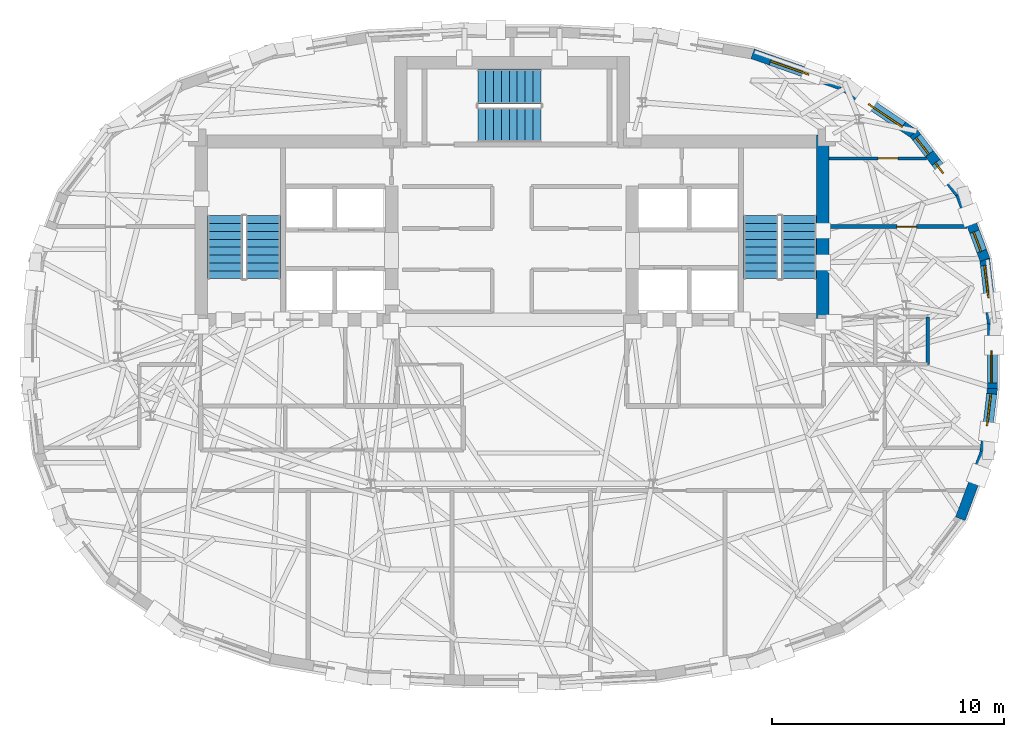
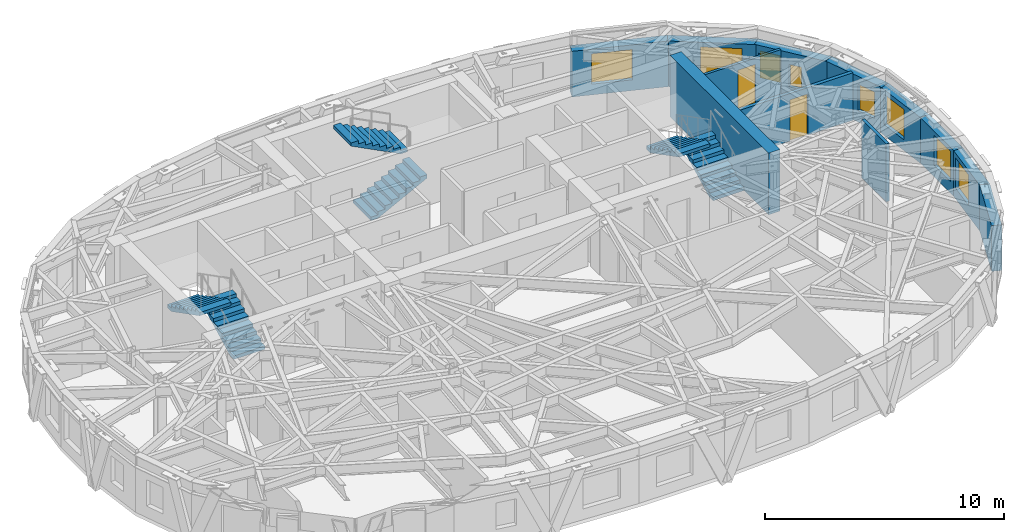
# One storey, part 9 of 12: 12 walls, 8 windows, 6 stair flights, 2 doors, 10 openings, 3 elements without a shape of their own.
"""IFC4 building model written with IfcOpenShell, lengths in metres."""

from ifc_helpers import new_model, si_unit, direction, frame, frame_2d, origin, place, context, subcontext, project, spatial, polyline, rectangle, outline, extrude, material, layer, layer_set, type_object, element, fill, aggregate, save


model = new_model("IFC4")

# Units and contexts
model_context = context("Model", 3, precision=1e-05, world=origin(), true_north=direction((0.0, 1.0)))
body_context = subcontext(model_context, "Body", "Model", "MODEL_VIEW")
ifc_project = project(units=[si_unit("LENGTHUNIT", "METRE"), si_unit("AREAUNIT", "SQUARE_METRE"), si_unit("VOLUMEUNIT", "CUBIC_METRE"), si_unit("PLANEANGLEUNIT", "RADIAN"), si_unit("MASSUNIT", "GRAM", prefix="KILO")], contexts=[model_context])

# Site, building, storey
site_placement = place(None, origin())
site = spatial("IfcSite", under=ifc_project, at=site_placement, CompositionType="ELEMENT")
building_placement = place(site_placement, origin())
building = spatial("IfcBuilding", under=site, at=building_placement, Name="Keldmark Tower", CompositionType="ELEMENT")
storey_placement = place(building_placement, frame((0.0, 0.0, 254.10009765625)))
storey = spatial("IfcBuildingStorey", under=building, at=storey_placement, Name="L72", CompositionType="ELEMENT", Elevation=254.10009765625)

# Wall
ifc_material_1 = material(Name="Concrete C50/60", Category="concrete")
ifc_layer_1 = layer(ifc_material_1, 0.550048828125)
ifc_layer_set_1 = layer_set([ifc_layer_1], Name="Concrete C50/60")
wall_type_1 = type_object("IfcWallType", Name="High-Rise Core Shear Wall 550 mm", PredefinedType="SHEAR", material=ifc_layer_set_1)
wall_1_placement = place(storey_placement, frame((13.425048828125, 1.300048828125, 0.0), z_axis=(0.0, 0.0, 1.0), x_axis=(0.0, 1.0, 0.0)))
element("IfcWall", 1, at=wall_1_placement, inside=storey, type_object=wall_type_1, Name="L72 East Core Outer Shear Wall", PredefinedType="SHEAR", context=body_context, shape_type="SweptSolid", body=[
    extrude(rectangle(XDim=8.25, YDim=0.550048828125, at=frame_2d((4.125, 0.0))), origin(), (0.0, 0.0, 1.0), 3.14990234375),
])

# Wall, opening, door
ifc_material_2 = material(Name="Acoustic Gypsum Board Interior Partition", Category="gypsum")
ifc_layer_2 = layer(ifc_material_2, 0.1298828125)
ifc_layer_set_2 = layer_set([ifc_layer_2], Name="Acoustic Gypsum Board Interior Partition")
wall_type_2 = type_object("IfcWallType", Name="Interior Partition 130 mm", PredefinedType="PARTITIONING", material=ifc_layer_set_2)
wall_2_placement = place(storey_placement, frame((13.699951171875, 8.550048828125, 0.0), z_axis=(0.0, 0.0, 1.0), x_axis=(1.0, 0.0, 0.0)))
wall_2 = element("IfcWall", 2, at=wall_2_placement, inside=storey, type_object=wall_type_2, Name="L72 Interior Partition 130 mm UA-NDIV2", PredefinedType="PARTITIONING", context=body_context, shape_type="SweptSolid", body=[
    extrude(rectangle(XDim=4.19677734375, YDim=0.1298828125, at=frame_2d((2.098388671875, 0.0))), origin(), (0.0, 0.0, 1.0), 2.4228515625),
])
opening_1_placement = place(wall_2_placement, frame((2.118896484375, 0.0, 0.0)))
opening_1 = element("IfcOpeningElement", 3, at=opening_1_placement, cuts=wall_2, Name="Opening D-IN085", PredefinedType="OPENING", context=body_context, shape_type="SweptSolid", body=[
    extrude(rectangle(XDim=0.85009765625, YDim=2.10009765625, at=frame_2d((0.425048828125, 1.050048828125))), frame((0.0, 0.074951171875, 0.0), z_axis=(0.0, -1.0, 0.0), x_axis=(1.0, 0.0, 0.0)), (0.0, 0.0, 1.0), 0.14990234375),
])
ifc_material_3 = material(Name="Painted Architectural Wood", Category="wood")
door_type_1 = type_object("IfcDoorType", Name="Interior Door 850x2100", OperationType="NOTDEFINED", PredefinedType="DOOR", material=ifc_material_3)
door_1_placement = place(opening_1_placement, origin())
door_1 = element("IfcDoor", 4, at=door_1_placement, inside=storey, type_object=door_type_1, Name="L72 Interior Door 850x2100 D-UA-BR2-L72", OperationType="SINGLE_SWING_RIGHT", OverallHeight=2.10009765625, OverallWidth=0.85009765625, PredefinedType="DOOR", context=body_context, shape_type="SweptSolid", body=[
    extrude(rectangle(XDim=0.85009765625, YDim=2.10009765625, at=frame_2d((0.425048828125, 1.050048828125))), frame((0.0, 0.02490234375, 0.0), z_axis=(0.0, -1.0, 0.0), x_axis=(1.0, 0.0, 0.0)), (0.0, 0.0, 1.0), 0.050048828125),
])
fill(opening_1, door_1)

ifc_material_4 = material(Name="Type X Fire-Rated Gypsum Partition Assembly", Category="gypsum")
ifc_layer_3 = layer(ifc_material_4, 0.1650390625)
ifc_layer_set_3 = layer_set([ifc_layer_3], Name="Type X Fire-Rated Gypsum Partition Assembly")
wall_type_3 = type_object("IfcWallType", Name="Rated Partition 165 mm", PredefinedType="PARTITIONING", material=ifc_layer_set_3)
wall_3_placement = place(storey_placement, frame((13.699951171875, 5.60009765625, 0.0), z_axis=(0.0, 0.0, 1.0), x_axis=(1.0, 0.0, 0.0)))
wall_3 = element("IfcWall", 5, at=wall_3_placement, inside=storey, type_object=wall_type_3, Name="L72 Rated Partition 165 mm RE-NDIV", PredefinedType="PARTITIONING", context=body_context, shape_type="SweptSolid", body=[
    extrude(rectangle(XDim=5.952880859375, YDim=0.1650390625, at=frame_2d((2.9765625, 0.0))), origin(), (0.0, 0.0, 1.0), 2.4228515625),
])
opening_2_placement = place(wall_3_placement, frame((2.928955078125, 0.0, 0.0)))
opening_2 = element("IfcOpeningElement", 6, at=opening_2_placement, cuts=wall_3, Name="Opening D-BR085", PredefinedType="OPENING", context=body_context, shape_type="SweptSolid", body=[
    extrude(rectangle(XDim=0.85009765625, YDim=2.10009765625, at=frame_2d((0.425048828125, 1.050048828125))), frame((0.0, 0.092529296875, 0.0), z_axis=(0.0, -1.0, 0.0), x_axis=(1.0, 0.0, 0.0)), (0.0, 0.0, 1.0), 0.18505859375),
])
ifc_material_5 = material(Name="Solid-Core Stained Walnut Wood", Category="wood")
door_type_2 = type_object("IfcDoorType", Name="Bedroom Door 850x2100", OperationType="NOTDEFINED", PredefinedType="DOOR", material=ifc_material_5)
door_2_placement = place(opening_2_placement, origin())
door_2 = element("IfcDoor", 7, at=door_2_placement, inside=storey, type_object=door_type_2, Name="L72 Bedroom Door 850x2100 D-UA-BR1-L72", OperationType="SINGLE_SWING_LEFT", OverallHeight=2.10009765625, OverallWidth=0.85009765625, PredefinedType="DOOR", context=body_context, shape_type="SweptSolid", body=[
    extrude(rectangle(XDim=0.85009765625, YDim=2.10009765625, at=frame_2d((0.425048828125, 1.050048828125))), frame((0.0, 0.02490234375, 0.0), z_axis=(0.0, -1.0, 0.0), x_axis=(1.0, 0.0, 0.0)), (0.0, 0.0, 1.0), 0.050048828125),
])
fill(opening_2, door_2)

# Wall, opening, window
ifc_material_6 = material(Name="Ironspot Manganese Brick and Kasota Buff Limestone Spandrel Assembly", Category="masonry")
ifc_layer_4 = layer(ifc_material_6, 0.43994140625)
ifc_layer_set_4 = layer_set([ifc_layer_4], Name="Ironspot Manganese Brick and Kasota Buff Limestone Spandrel Assembly")
wall_type_4 = type_object("IfcWallType", Name="Tower Brick Pier and Spandrel Wall 440 mm", PredefinedType="STANDARD", material=ifc_layer_set_4)
wall_4_placement = place(storey_placement, frame((20.41845703125, 4.21875, 0.0), z_axis=(0.0, 0.0, 1.0), x_axis=(0.116885766715, -0.993145365764, 0.0)))
wall_4 = element("IfcWall", 8, at=wall_4_placement, inside=storey, type_object=wall_type_4, Name="L72 Exterior Brick and Spandrel Wall 01", PredefinedType="STANDARD", context=body_context, shape_type="SweptSolid", body=[
    extrude(rectangle(XDim=2.863525390625, YDim=0.43994140625, at=frame_2d((1.431640625, 0.0))), origin(), (0.0, 0.0, 1.0), 2.3359375),
])
opening_3_placement = place(wall_4_placement, frame((0.296630859375, 0.0, 0.550048828125)))
opening_3 = element("IfcOpeningElement", 9, at=opening_3_placement, cuts=wall_4, Name="Opening W-08", PredefinedType="OPENING", context=body_context, shape_type="SweptSolid", body=[
    extrude(rectangle(XDim=1.39990234375, YDim=1.550048828125, at=frame_2d((0.699951171875, 0.77490234375))), frame((0.0, 0.22998046875, 0.0), z_axis=(0.0, -1.0, 0.0), x_axis=(1.0, 0.0, 0.0)), (0.0, 0.0, 1.0), 0.4599609375),
])
ifc_material_7 = material(Name="Thermally Broken Anodized Aluminum and Triple Low-E Argon Glazing", Category="aluminium")
window_type_1 = type_object("IfcWindowType", Name="Residential Corner Punched Window 1400x1550", PartitioningType="SINGLE_PANEL", PredefinedType="WINDOW", material=ifc_material_7)
window_1_placement = place(opening_3_placement, origin())
window_1 = element("IfcWindow", 10, at=window_1_placement, inside=storey, type_object=window_type_1, Name="L72 Deep-Set Window 01", OverallHeight=1.550048828125, OverallWidth=1.39990234375, PartitioningType="SINGLE_PANEL", PredefinedType="WINDOW", context=body_context, shape_type="SweptSolid", body=[
    extrude(rectangle(XDim=1.39990234375, YDim=1.550048828125, at=frame_2d((0.699951171875, 0.77490234375))), frame((0.0, -0.010009765625, 0.0), z_axis=(0.0, -1.0, 0.0), x_axis=(1.0, 0.0, 0.0)), (0.0, 0.0, 1.0), 0.06005859375),
])
fill(opening_3, window_1)

wall_5_placement = place(storey_placement, frame((19.36767578125, 7.0166015625, 0.0), z_axis=(0.0, 0.0, 1.0), x_axis=(0.349627332297, -0.936888856007, 0.0)))
wall_5 = element("IfcWall", 11, at=wall_5_placement, inside=storey, type_object=wall_type_4, Name="L72 Exterior Brick and Spandrel Wall 02", PredefinedType="STANDARD", context=body_context, shape_type="SweptSolid", body=[
    extrude(rectangle(XDim=3.041015625, YDim=0.43994140625, at=frame_2d((1.5205078125, 0.0))), origin(), (0.0, 0.0, 1.0), 2.3359375),
])
opening_4_placement = place(wall_5_placement, frame((1.7421875, 0.0, 0.580078125)))
opening_4 = element("IfcOpeningElement", 12, at=opening_4_placement, cuts=wall_5, Name="Opening W-09", PredefinedType="OPENING", context=body_context, shape_type="SweptSolid", body=[
    extrude(rectangle(XDim=0.89990234375, YDim=1.35009765625, at=frame_2d((0.449951171875, 0.675048828125))), frame((0.0, 0.22998046875, 0.0), z_axis=(0.0, -1.0, 0.0), x_axis=(1.0, 0.0, 0.0)), (0.0, 0.0, 1.0), 0.4599609375),
])
ifc_material_8 = material(Name="Thermally Broken Anodized Aluminum and Triple Low-E Argon Glazing", Category="aluminium")
window_type_2 = type_object("IfcWindowType", Name="Corner Pier Deep-Set Window 900x1350", PartitioningType="SINGLE_PANEL", PredefinedType="WINDOW", material=ifc_material_8)
window_2_placement = place(opening_4_placement, origin())
window_2 = element("IfcWindow", 13, at=window_2_placement, inside=storey, type_object=window_type_2, Name="L72 Deep-Set Window 02", OverallHeight=1.35009765625, OverallWidth=0.89990234375, PartitioningType="SINGLE_PANEL", PredefinedType="WINDOW", context=body_context, shape_type="SweptSolid", body=[
    extrude(rectangle(XDim=0.89990234375, YDim=1.35009765625, at=frame_2d((0.449951171875, 0.675048828125))), frame((0.0, -0.010009765625, 0.0), z_axis=(0.0, -1.0, 0.0), x_axis=(1.0, 0.0, 0.0)), (0.0, 0.0, 1.0), 0.06005859375),
])
fill(opening_4, window_2)

# Wall, openings, windows
wall_6_placement = place(storey_placement, frame((17.3623046875, 9.62451171875, 0.0), z_axis=(0.0, 0.0, 1.0), x_axis=(0.607266352304, -0.794498318034, 0.0)))
wall_6 = element("IfcWall", 14, at=wall_6_placement, inside=storey, type_object=wall_type_4, Name="L72 Exterior Brick and Spandrel Wall 03", PredefinedType="STANDARD", context=body_context, shape_type="SweptSolid", body=[
    extrude(rectangle(XDim=3.353759765625, YDim=0.43994140625, at=frame_2d((1.6767578125, 0.0))), origin(), (0.0, 0.0, 1.0), 2.3359375),
])
opening_5_placement = place(wall_6_placement, frame((0.199951171875, 0.0, 0.580078125)))
opening_5 = element("IfcOpeningElement", 15, at=opening_5_placement, cuts=wall_6, Name="Opening W-09", PredefinedType="OPENING", context=body_context, shape_type="SweptSolid", body=[
    extrude(rectangle(XDim=0.89990234375, YDim=1.35009765625, at=frame_2d((0.449951171875, 0.675048828125))), frame((0.0, 0.22998046875, 0.0), z_axis=(0.0, -1.0, 0.0), x_axis=(1.0, 0.0, 0.0)), (0.0, 0.0, 1.0), 0.4599609375),
])
opening_6_placement = place(wall_6_placement, frame((1.5693359375, 0.0, 0.580078125)))
opening_6 = element("IfcOpeningElement", 16, at=opening_6_placement, cuts=wall_6, Name="Opening W-10", PredefinedType="OPENING", context=body_context, shape_type="SweptSolid", body=[
    extrude(rectangle(XDim=0.56005859375, YDim=1.14990234375, at=frame_2d((0.280029296875, 0.574951171875))), frame((0.0, 0.22998046875, 0.0), z_axis=(0.0, -1.0, 0.0), x_axis=(1.0, 0.0, 0.0)), (0.0, 0.0, 1.0), 0.4599609375),
])
window_3_placement = place(opening_5_placement, origin())
window_3 = element("IfcWindow", 17, at=window_3_placement, inside=storey, type_object=window_type_2, Name="L72 Deep-Set Window 03", OverallHeight=1.35009765625, OverallWidth=0.89990234375, PartitioningType="SINGLE_PANEL", PredefinedType="WINDOW", context=body_context, shape_type="SweptSolid", body=[
    extrude(rectangle(XDim=0.89990234375, YDim=1.35009765625, at=frame_2d((0.449951171875, 0.675048828125))), frame((0.0, -0.010009765625, 0.0), z_axis=(0.0, -1.0, 0.0), x_axis=(1.0, 0.0, 0.0)), (0.0, 0.0, 1.0), 0.06005859375),
])
fill(opening_5, window_3)
ifc_material_9 = material(Name="Thermally Broken Anodized Aluminum and Triple Low-E Argon Glazing", Category="aluminium")
window_type_3 = type_object("IfcWindowType", Name="Narrow Pier Lancet Window 560x1150", PartitioningType="SINGLE_PANEL", PredefinedType="WINDOW", material=ifc_material_9)
window_4_placement = place(opening_6_placement, origin())
window_4 = element("IfcWindow", 18, at=window_4_placement, inside=storey, type_object=window_type_3, Name="L72 Pier Window RM01", OverallHeight=1.14990234375, OverallWidth=0.56005859375, PartitioningType="SINGLE_PANEL", PredefinedType="WINDOW", context=body_context, shape_type="SweptSolid", body=[
    extrude(rectangle(XDim=0.56005859375, YDim=1.14990234375, at=frame_2d((0.280029296875, 0.574951171875))), frame((0.0, -0.010009765625, 0.0), z_axis=(0.0, -1.0, 0.0), x_axis=(1.0, 0.0, 0.0)), (0.0, 0.0, 1.0), 0.06005859375),
])
fill(opening_6, window_4)

# Wall, opening, window
wall_7_placement = place(storey_placement, frame((14.268798828125, 11.708251953125, 0.0), z_axis=(0.0, 0.0, 1.0), x_axis=(0.827695346596, -0.561177702001, 0.0)))
wall_7 = element("IfcWall", 19, at=wall_7_placement, inside=storey, type_object=wall_type_4, Name="L72 Exterior Brick and Spandrel Wall 04", PredefinedType="STANDARD", context=body_context, shape_type="SweptSolid", body=[
    extrude(rectangle(XDim=3.7998046875, YDim=0.43994140625, at=frame_2d((1.89990234375, 0.0))), origin(), (0.0, 0.0, 1.0), 2.3359375),
])
opening_7_placement = place(wall_7_placement, frame((1.399658203125, 0.0, 0.550048828125)))
opening_7 = element("IfcOpeningElement", 20, at=opening_7_placement, cuts=wall_7, Name="Opening W-05", PredefinedType="OPENING", context=body_context, shape_type="SweptSolid", body=[
    extrude(rectangle(XDim=1.75, YDim=1.550048828125, at=frame_2d((0.875, 0.77490234375))), frame((0.0, 0.22998046875, 0.0), z_axis=(0.0, -1.0, 0.0), x_axis=(1.0, 0.0, 0.0)), (0.0, 0.0, 1.0), 0.4599609375),
])
ifc_material_10 = material(Name="Thermally Broken Anodized Aluminum and Triple Low-E Argon Glazing", Category="aluminium")
window_type_4 = type_object("IfcWindowType", Name="Residential Deep-Set Window 1750x1550", PartitioningType="DOUBLE_PANEL_VERTICAL", PredefinedType="WINDOW", material=ifc_material_10)
window_5_placement = place(opening_7_placement, origin())
window_5 = element("IfcWindow", 21, at=window_5_placement, inside=storey, type_object=window_type_4, Name="L72 Deep-Set Window 04", OverallHeight=1.550048828125, OverallWidth=1.75, PartitioningType="SINGLE_PANEL", PredefinedType="WINDOW", context=body_context, shape_type="SweptSolid", body=[
    extrude(rectangle(XDim=1.75, YDim=1.550048828125, at=frame_2d((0.875, 0.77490234375))), frame((0.0, -0.010009765625, 0.0), z_axis=(0.0, -1.0, 0.0), x_axis=(1.0, 0.0, 0.0)), (0.0, 0.0, 1.0), 0.06005859375),
])
fill(opening_7, window_5)

wall_8_placement = place(storey_placement, frame((10.389404296875, 13.0634765625, 0.0), z_axis=(0.0, 0.0, 1.0), x_axis=(0.943461130408, -0.331483175152, 0.0)))
wall_8 = element("IfcWall", 22, at=wall_8_placement, inside=storey, type_object=wall_type_4, Name="L72 Exterior Brick and Spandrel Wall 05", PredefinedType="STANDARD", context=body_context, shape_type="SweptSolid", body=[
    extrude(rectangle(XDim=4.165771484375, YDim=0.43994140625, at=frame_2d((2.0830078125, 0.0))), origin(), (0.0, 0.0, 1.0), 2.3359375),
])
opening_8_placement = place(wall_8_placement, frame((0.839111328125, 0.0, 0.550048828125)))
opening_8 = element("IfcOpeningElement", 23, at=opening_8_placement, cuts=wall_8, Name="Opening W-05", PredefinedType="OPENING", context=body_context, shape_type="SweptSolid", body=[
    extrude(rectangle(XDim=1.75, YDim=1.550048828125, at=frame_2d((0.875, 0.77490234375))), frame((0.0, 0.22998046875, 0.0), z_axis=(0.0, -1.0, 0.0), x_axis=(1.0, 0.0, 0.0)), (0.0, 0.0, 1.0), 0.4599609375),
])
window_6_placement = place(opening_8_placement, origin())
window_6 = element("IfcWindow", 24, at=window_6_placement, inside=storey, type_object=window_type_4, Name="L72 Deep-Set Window 05", OverallHeight=1.550048828125, OverallWidth=1.75, PartitioningType="SINGLE_PANEL", PredefinedType="WINDOW", context=body_context, shape_type="SweptSolid", body=[
    extrude(rectangle(XDim=1.75, YDim=1.550048828125, at=frame_2d((0.875, 0.77490234375))), frame((0.0, -0.010009765625, 0.0), z_axis=(0.0, -1.0, 0.0), x_axis=(1.0, 0.0, 0.0)), (0.0, 0.0, 1.0), 0.06005859375),
])
fill(opening_8, window_6)

# Wall
wall_9_placement = place(storey_placement, frame((20.430908203125, -4.16748046875, 0.0), z_axis=(0.0, 0.0, 1.0), x_axis=(-0.349627332297, -0.936888856007, 0.0)))
element("IfcWall", 25, at=wall_9_placement, inside=storey, type_object=wall_type_4, Name="L72 Exterior Brick and Spandrel Wall 30", PredefinedType="STANDARD", context=body_context, shape_type="SweptSolid", body=[
    extrude(rectangle(XDim=3.041015625, YDim=0.43994140625, at=frame_2d((1.5205078125, 0.0))), origin(), (0.0, 0.0, 1.0), 2.3359375),
])

# Wall, opening, window
wall_10_placement = place(storey_placement, frame((20.753173828125, -1.374755859375, 0.0), z_axis=(0.0, 0.0, 1.0), x_axis=(-0.116885766715, -0.993145365764, 0.0)))
wall_10 = element("IfcWall", 26, at=wall_10_placement, inside=storey, type_object=wall_type_4, Name="L72 Exterior Brick and Spandrel Wall 31", PredefinedType="STANDARD", context=body_context, shape_type="SweptSolid", body=[
    extrude(rectangle(XDim=2.863525390625, YDim=0.43994140625, at=frame_2d((1.431640625, 0.0))), origin(), (0.0, 0.0, 1.0), 2.3359375),
])
opening_9_placement = place(wall_10_placement, frame((0.248291015625, 0.0, 0.550048828125)))
opening_9 = element("IfcOpeningElement", 27, at=opening_9_placement, cuts=wall_10, Name="Opening W-08", PredefinedType="OPENING", context=body_context, shape_type="SweptSolid", body=[
    extrude(rectangle(XDim=1.39990234375, YDim=1.550048828125, at=frame_2d((0.699951171875, 0.77490234375))), frame((0.0, 0.22998046875, 0.0), z_axis=(0.0, -1.0, 0.0), x_axis=(1.0, 0.0, 0.0)), (0.0, 0.0, 1.0), 0.4599609375),
])
window_7_placement = place(opening_9_placement, origin())
window_7 = element("IfcWindow", 28, at=window_7_placement, inside=storey, type_object=window_type_1, Name="L72 Deep-Set Window 31", OverallHeight=1.550048828125, OverallWidth=1.39990234375, PartitioningType="SINGLE_PANEL", PredefinedType="WINDOW", context=body_context, shape_type="SweptSolid", body=[
    extrude(rectangle(XDim=1.39990234375, YDim=1.550048828125, at=frame_2d((0.699951171875, 0.77490234375))), frame((0.0, -0.010009765625, 0.0), z_axis=(0.0, -1.0, 0.0), x_axis=(1.0, 0.0, 0.0)), (0.0, 0.0, 1.0), 0.06005859375),
])
fill(opening_9, window_7)

wall_11_placement = place(storey_placement, frame((20.751708984375, 1.400390625, 0.0), z_axis=(0.0, 0.0, 1.0), x_axis=(0.0, -1.0, 0.0)))
wall_11 = element("IfcWall", 29, at=wall_11_placement, inside=storey, type_object=wall_type_4, Name="L72 Exterior Brick and Spandrel Wall 32", PredefinedType="STANDARD", context=body_context, shape_type="SweptSolid", body=[
    extrude(rectangle(XDim=2.80078125, YDim=0.43994140625, at=frame_2d((1.400390625, 0.0))), origin(), (0.0, 0.0, 1.0), 2.3359375),
])
opening_10_placement = place(wall_11_placement, frame((1.153076171875, 0.0, 0.580078125)))
opening_10 = element("IfcOpeningElement", 30, at=opening_10_placement, cuts=wall_11, Name="Opening W-08", PredefinedType="OPENING", context=body_context, shape_type="SweptSolid", body=[
    extrude(rectangle(XDim=1.39990234375, YDim=1.550048828125, at=frame_2d((0.699951171875, 0.77490234375))), frame((0.0, 0.22998046875, 0.0), z_axis=(0.0, -1.0, 0.0), x_axis=(1.0, 0.0, 0.0)), (0.0, 0.0, 1.0), 0.4599609375),
])
window_8_placement = place(opening_10_placement, origin())
window_8 = element("IfcWindow", 31, at=window_8_placement, inside=storey, type_object=window_type_1, Name="L72 Deep-Set Window 32", OverallHeight=1.550048828125, OverallWidth=1.39990234375, PartitioningType="SINGLE_PANEL", PredefinedType="WINDOW", context=body_context, shape_type="SweptSolid", body=[
    extrude(rectangle(XDim=1.39990234375, YDim=1.550048828125, at=frame_2d((0.699951171875, 0.77490234375))), frame((0.0, -0.010009765625, 0.0), z_axis=(0.0, -1.0, 0.0), x_axis=(1.0, 0.0, 0.0)), (0.0, 0.0, 1.0), 0.06005859375),
])
fill(opening_10, window_8)

# Wall
ifc_material_11 = material(Name="Moisture-Resistant Gypsum Plumbing Partition", Category="gypsum")
ifc_layer_5 = layer(ifc_material_11, 0.14990234375)
ifc_layer_set_5 = layer_set([ifc_layer_5], Name="Moisture-Resistant Gypsum Plumbing Partition")
wall_type_5 = type_object("IfcWallType", Name="Wet Wall 150 mm", PredefinedType="PLUMBINGWALL", material=ifc_layer_set_5)
wall_12_placement = place(storey_placement, frame((17.949951171875, -0.35009765625, 0.0), z_axis=(0.0, 0.0, 1.0), x_axis=(0.0, 1.0, 0.0)))
element("IfcWall", 32, at=wall_12_placement, inside=storey, type_object=wall_type_5, Name="L72 Wet Wall 150 mm UA-BK-OUT", PredefinedType="PLUMBINGWALL", context=body_context, shape_type="SweptSolid", body=[
    extrude(rectangle(XDim=2.050048828125, YDim=0.14990234375, at=frame_2d((1.02490234375, 0.0))), origin(), (0.0, 0.0, 1.0), 2.969970703125),
])

# Stair, stair flights
ifc_material_12 = material(Name="Concrete C40/50", Category="concrete")
stair_type = type_object("IfcStairType", Name="Precast Concrete Core Exit Stair", PredefinedType="HALF_TURN_STAIR", material=ifc_material_12)
stair_1_placement = place(storey_placement, origin())
stair_1 = element("IfcStair", 33, at=stair_1_placement, inside=storey, type_object=stair_type, Name="L72 Exit Stair ST1", PredefinedType="HALF_TURN_STAIR")
ifc_material_13 = material(Name="Concrete C40/50", Category="concrete")
stair_flight_type = type_object("IfcStairFlightType", Name="Precast Concrete Stair Flight 1500 mm", PredefinedType="STRAIGHT", material=ifc_material_13)
stair_flight_1_placement = place(storey_placement, frame((-10.75, 3.35009765625, 0.0), z_axis=(0.0, 0.0, 1.0), x_axis=(0.0, 1.0, 0.0)))
stair_flight_1 = element("IfcStairFlight", 34, at=stair_flight_1_placement, type_object=stair_flight_type, Name="ST1 flight 1", NumberOfRisers=9, NumberOfTreads=8, PredefinedType="STRAIGHT", RiserHeight=0.175, TreadLength=0.34, context=body_context, shape_type="SweptSolid", body=[
    extrude(outline(polyline([(0.0, 0.0), (0.0, 0.175048828125), (0.340087890625, 0.175048828125), (0.340087890625, 0.35009765625), (0.679931640625, 0.35009765625), (0.679931640625, 0.52490234375), (1.02001953125, 0.52490234375), (1.02001953125, 0.699951171875), (1.360107421875, 0.699951171875), (1.360107421875, 0.875), (1.699951171875, 0.875), (1.699951171875, 1.050048828125), (2.0400390625, 1.050048828125), (2.0400390625, 1.22509765625), (2.3798828125, 1.22509765625), (2.3798828125, 1.39990234375), (2.719970703125, 1.39990234375), (2.719970703125, 1.574951171875), (2.719970703125, 1.2314453125), (0.32763671875, 0.0), (0.0, 0.0)])), frame((0.0, 0.75, 0.0), z_axis=(0.0, -1.0, 0.0), x_axis=(1.0, 0.0, 0.0)), (0.0, 0.0, 1.0), 1.5),
])
stair_flight_2_placement = place(storey_placement, frame((-12.39990234375, 6.070068359375, 1.574951171875), z_axis=(0.0, 0.0, 1.0), x_axis=(0.0, -1.0, 0.0)))
stair_flight_2 = element("IfcStairFlight", 35, at=stair_flight_2_placement, type_object=stair_flight_type, Name="ST1 flight 2", NumberOfRisers=9, NumberOfTreads=8, PredefinedType="STRAIGHT", RiserHeight=0.175, TreadLength=0.34, context=body_context, shape_type="SweptSolid", body=[
    extrude(outline(polyline([(0.0, 0.0), (0.0, 0.175048828125), (0.340087890625, 0.175048828125), (0.340087890625, 0.35009765625), (0.679931640625, 0.35009765625), (0.679931640625, 0.52490234375), (1.02001953125, 0.52490234375), (1.02001953125, 0.699951171875), (1.360107421875, 0.699951171875), (1.360107421875, 0.875), (1.699951171875, 0.875), (1.699951171875, 1.050048828125), (2.0400390625, 1.050048828125), (2.0400390625, 1.22509765625), (2.3798828125, 1.22509765625), (2.3798828125, 1.39990234375), (2.719970703125, 1.39990234375), (2.719970703125, 1.574951171875), (2.719970703125, 1.2314453125), (0.32763671875, 0.0), (0.0, 0.0)])), frame((0.0, 0.75, 0.0), z_axis=(0.0, -1.0, 0.0), x_axis=(1.0, 0.0, 0.0)), (0.0, 0.0, 1.0), 1.5),
])
aggregate(stair_1, [stair_flight_1, stair_flight_2])

stair_2_placement = place(storey_placement, origin())
stair_2 = element("IfcStair", 36, at=stair_2_placement, inside=storey, type_object=stair_type, Name="L72 Exit Stair ST2", PredefinedType="HALF_TURN_STAIR")
stair_flight_3_placement = place(storey_placement, frame((12.39990234375, 3.35009765625, 0.0), z_axis=(0.0, 0.0, 1.0), x_axis=(0.0, 1.0, 0.0)))
stair_flight_3 = element("IfcStairFlight", 37, at=stair_flight_3_placement, type_object=stair_flight_type, Name="ST2 flight 1", NumberOfRisers=9, NumberOfTreads=8, PredefinedType="STRAIGHT", RiserHeight=0.175, TreadLength=0.34, context=body_context, shape_type="SweptSolid", body=[
    extrude(outline(polyline([(0.0, 0.0), (0.0, 0.175048828125), (0.340087890625, 0.175048828125), (0.340087890625, 0.35009765625), (0.679931640625, 0.35009765625), (0.679931640625, 0.52490234375), (1.02001953125, 0.52490234375), (1.02001953125, 0.699951171875), (1.360107421875, 0.699951171875), (1.360107421875, 0.875), (1.699951171875, 0.875), (1.699951171875, 1.050048828125), (2.0400390625, 1.050048828125), (2.0400390625, 1.22509765625), (2.3798828125, 1.22509765625), (2.3798828125, 1.39990234375), (2.719970703125, 1.39990234375), (2.719970703125, 1.574951171875), (2.719970703125, 1.2314453125), (0.32763671875, 0.0), (0.0, 0.0)])), frame((0.0, 0.75, 0.0), z_axis=(0.0, -1.0, 0.0), x_axis=(1.0, 0.0, 0.0)), (0.0, 0.0, 1.0), 1.5),
])
stair_flight_4_placement = place(storey_placement, frame((10.75, 6.070068359375, 1.574951171875), z_axis=(0.0, 0.0, 1.0), x_axis=(0.0, -1.0, 0.0)))
stair_flight_4 = element("IfcStairFlight", 38, at=stair_flight_4_placement, type_object=stair_flight_type, Name="ST2 flight 2", NumberOfRisers=9, NumberOfTreads=8, PredefinedType="STRAIGHT", RiserHeight=0.175, TreadLength=0.34, context=body_context, shape_type="SweptSolid", body=[
    extrude(outline(polyline([(0.0, 0.0), (0.0, 0.175048828125), (0.340087890625, 0.175048828125), (0.340087890625, 0.35009765625), (0.679931640625, 0.35009765625), (0.679931640625, 0.52490234375), (1.02001953125, 0.52490234375), (1.02001953125, 0.699951171875), (1.360107421875, 0.699951171875), (1.360107421875, 0.875), (1.699951171875, 0.875), (1.699951171875, 1.050048828125), (2.0400390625, 1.050048828125), (2.0400390625, 1.22509765625), (2.3798828125, 1.22509765625), (2.3798828125, 1.39990234375), (2.719970703125, 1.39990234375), (2.719970703125, 1.574951171875), (2.719970703125, 1.2314453125), (0.32763671875, 0.0), (0.0, 0.0)])), frame((0.0, 0.75, 0.0), z_axis=(0.0, -1.0, 0.0), x_axis=(1.0, 0.0, 0.0)), (0.0, 0.0, 1.0), 1.5),
])
aggregate(stair_2, [stair_flight_3, stair_flight_4])

stair_3_placement = place(storey_placement, origin())
stair_3 = element("IfcStair", 39, at=stair_3_placement, inside=storey, type_object=stair_type, Name="L72 Exit Stair ST3", PredefinedType="HALF_TURN_STAIR")
stair_flight_5_placement = place(storey_placement, frame((-1.47509765625, 10.0, 0.0), z_axis=(0.0, 0.0, 1.0), x_axis=(1.0, 0.0, 0.0)))
stair_flight_5 = element("IfcStairFlight", 40, at=stair_flight_5_placement, type_object=stair_flight_type, Name="ST3 flight 1", NumberOfRisers=9, NumberOfTreads=8, PredefinedType="STRAIGHT", RiserHeight=0.175, TreadLength=0.34, context=body_context, shape_type="SweptSolid", body=[
    extrude(outline(polyline([(0.0, 0.0), (0.0, 0.175048828125), (0.340087890625, 0.175048828125), (0.340087890625, 0.35009765625), (0.679931640625, 0.35009765625), (0.679931640625, 0.52490234375), (1.02001953125, 0.52490234375), (1.02001953125, 0.699951171875), (1.360107421875, 0.699951171875), (1.360107421875, 0.875), (1.699951171875, 0.875), (1.699951171875, 1.050048828125), (2.0400390625, 1.050048828125), (2.0400390625, 1.22509765625), (2.3798828125, 1.22509765625), (2.3798828125, 1.39990234375), (2.719970703125, 1.39990234375), (2.719970703125, 1.574951171875), (2.719970703125, 1.2314453125), (0.32763671875, 0.0), (0.0, 0.0)])), frame((0.0, 0.75, 0.0), z_axis=(0.0, -1.0, 0.0), x_axis=(1.0, 0.0, 0.0)), (0.0, 0.0, 1.0), 1.5),
])
stair_flight_6_placement = place(storey_placement, frame((1.2451171875, 11.64990234375, 1.574951171875), z_axis=(0.0, 0.0, 1.0), x_axis=(-1.0, 0.0, 0.0)))
stair_flight_6 = element("IfcStairFlight", 41, at=stair_flight_6_placement, type_object=stair_flight_type, Name="ST3 flight 2", NumberOfRisers=9, NumberOfTreads=8, PredefinedType="STRAIGHT", RiserHeight=0.175, TreadLength=0.34, context=body_context, shape_type="SweptSolid", body=[
    extrude(outline(polyline([(0.0, 0.0), (0.0, 0.175048828125), (0.340087890625, 0.175048828125), (0.340087890625, 0.35009765625), (0.679931640625, 0.35009765625), (0.679931640625, 0.52490234375), (1.02001953125, 0.52490234375), (1.02001953125, 0.699951171875), (1.360107421875, 0.699951171875), (1.360107421875, 0.875), (1.699951171875, 0.875), (1.699951171875, 1.050048828125), (2.0400390625, 1.050048828125), (2.0400390625, 1.22509765625), (2.3798828125, 1.22509765625), (2.3798828125, 1.39990234375), (2.719970703125, 1.39990234375), (2.719970703125, 1.574951171875), (2.719970703125, 1.2314453125), (0.32763671875, 0.0), (0.0, 0.0)])), frame((0.0, 0.75, 0.0), z_axis=(0.0, -1.0, 0.0), x_axis=(1.0, 0.0, 0.0)), (0.0, 0.0, 1.0), 1.5),
])
aggregate(stair_3, [stair_flight_5, stair_flight_6])

save(model, "model.ifc")
